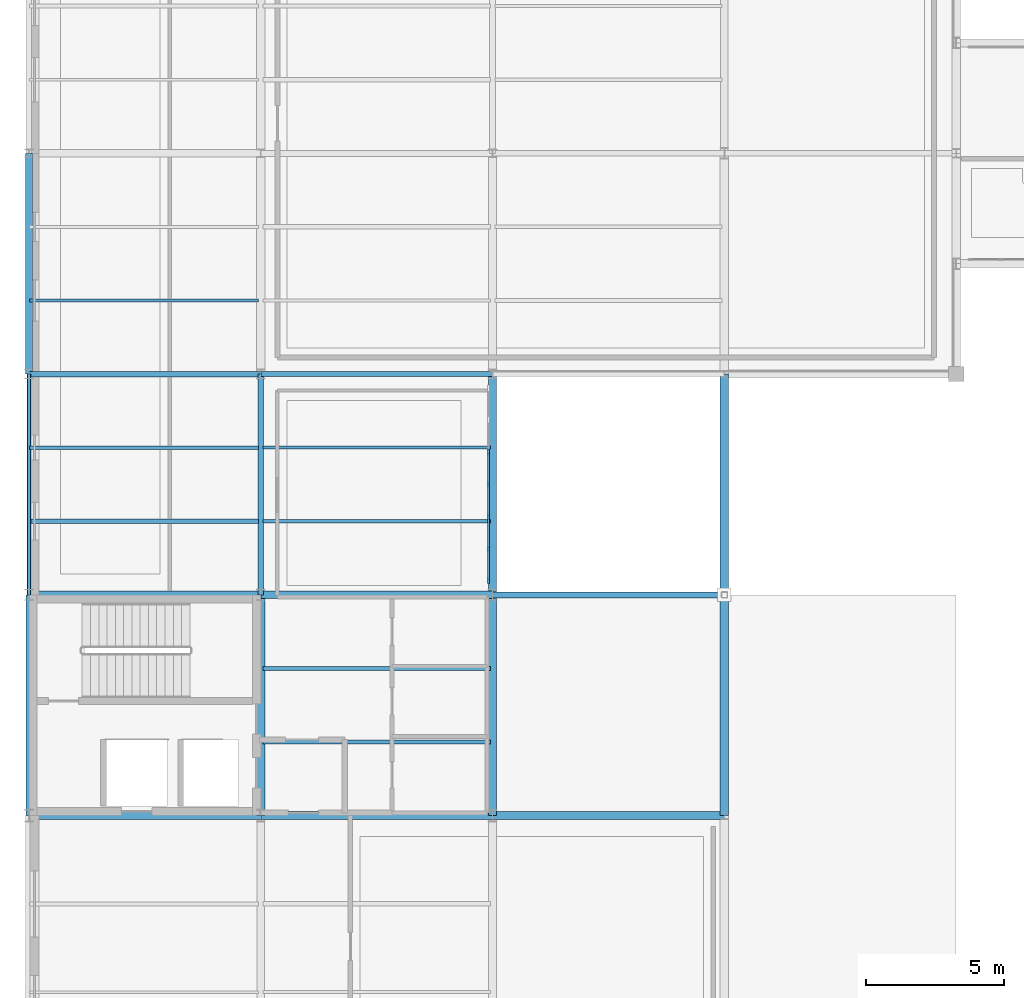
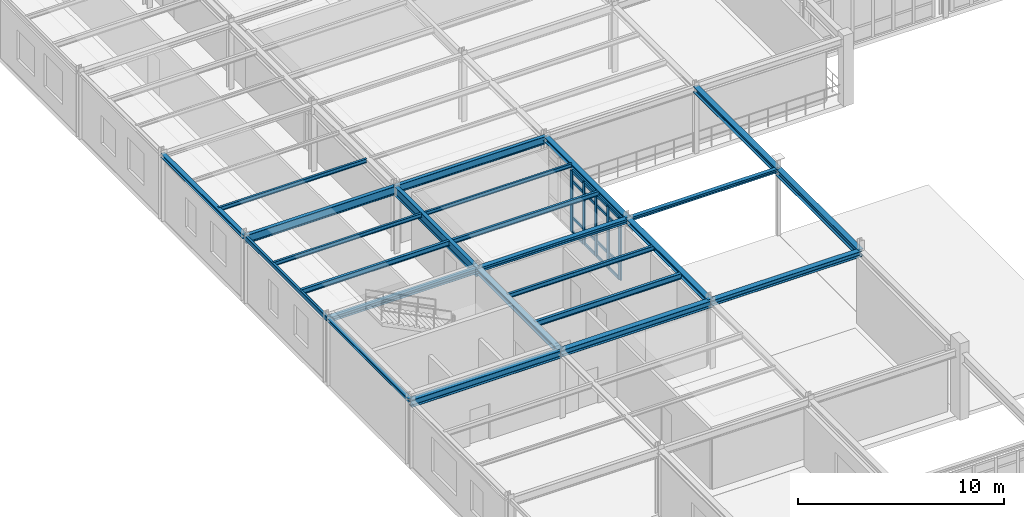
# One storey, part 25 of 90: 24 beams, 21 members, 1 element without a shape of its own.
"""IFC4 building model written with IfcOpenShell, lengths in metres."""

from ifc_helpers import new_model, si_unit, derived_unit, direction, frame, origin, origin_2d, place, context, subcontext, project, spatial, rectangle, hollow_rectangle, i_section, extrude, material, layer, layer_set, material_profile, profile_set, type_object, element, aggregate, save


model = new_model("IFC4")

# Units and contexts
model_context = context("Model", 3, precision=1e-05, world=origin(), true_north=direction((0.0, 1.0)))
body_context = subcontext(model_context, "Body", "Model", "MODEL_VIEW")
ifc_project = project(units=[si_unit("LENGTHUNIT", "METRE"), si_unit("AREAUNIT", "SQUARE_METRE"), si_unit("VOLUMEUNIT", "CUBIC_METRE"), si_unit("PLANEANGLEUNIT", "RADIAN"), si_unit("MASSUNIT", "GRAM", prefix="KILO"), derived_unit("THERMALTRANSMITTANCEUNIT", [(si_unit("POWERUNIT", "WATT"), 1), (si_unit("AREAUNIT", "SQUARE_METRE"), -1), (si_unit("THERMODYNAMICTEMPERATUREUNIT", "KELVIN"), -1)])], contexts=[model_context])

# Site, building, storey
site_placement = place(None, origin())
site = spatial("IfcSite", under=ifc_project, at=site_placement, CompositionType="ELEMENT")
building_placement = place(site_placement, origin())
building = spatial("IfcBuilding", under=site, at=building_placement, Name="Yasenodar Specialist Clinic", CompositionType="ELEMENT")
storey_placement = place(building_placement, frame((0.0, 0.0, 9.0)))
storey = spatial("IfcBuildingStorey", under=building, at=storey_placement, Name="L02", CompositionType="ELEMENT", Elevation=9.0)

# Beams
ifc_material_1 = material(Name="Steel S355", Category="steel")
ifc_material_profile_1 = material_profile(ifc_material_1, i_section(OverallWidth=0.219970703125, OverallDepth=0.2099609375, WebThickness=0.007080078125, FlangeThickness=0.010986328125, FilletRadius=0.01806640625, at=origin_2d()), Name="HEA 220")
ifc_profile_set_1 = profile_set([ifc_material_profile_1], Name="Steel S355")
beam_type_1 = type_object("IfcBeamType", Name="BM-HEA220", PredefinedType="BEAM", material=ifc_profile_set_1)
beam_1_placement = place(storey_placement, frame((16.800048828125, 42.800048828125, 3.844970703125), z_axis=(1.0, 0.0, 0.0), x_axis=(0.0, 1.0, 0.0)))
element("IfcBeam", 1, at=beam_1_placement, inside=storey, type_object=beam_type_1, Name="L02 Primary E-W Girder", PredefinedType="BEAM", context=body_context, shape_type="SweptSolid", body=[
    extrude(i_section(OverallWidth=0.219970703125, OverallDepth=0.2099609375, WebThickness=0.007080078125, FlangeThickness=0.010986328125, FilletRadius=0.01806640625, at=origin_2d()), origin(), (0.0, 0.0, 1.0), 8.39990234375),
])
ifc_material_profile_2 = material_profile(ifc_material_1, i_section(OverallWidth=0.260009765625, OverallDepth=0.25, WebThickness=0.007568359375, FlangeThickness=0.012451171875, FilletRadius=0.02392578125, at=origin_2d()), Name="HEA 260")
ifc_profile_set_2 = profile_set([ifc_material_profile_2], Name="Steel S355")
beam_type_2 = type_object("IfcBeamType", Name="BM-HEA260", PredefinedType="BEAM", material=ifc_profile_set_2)
beam_2_placement = place(storey_placement, frame((8.39990234375, 42.800048828125, 3.824951171875), z_axis=(1.0, 0.0, 0.0), x_axis=(0.0, 1.0, 0.0)))
element("IfcBeam", 2, at=beam_2_placement, inside=storey, type_object=beam_type_2, Name="L02 Primary E-W Girder", PredefinedType="BEAM", context=body_context, shape_type="SweptSolid", body=[
    extrude(i_section(OverallWidth=0.260009765625, OverallDepth=0.25, WebThickness=0.007568359375, FlangeThickness=0.012451171875, FilletRadius=0.02392578125, at=origin_2d()), origin(), (0.0, 0.0, 1.0), 8.400146484375),
])
ifc_material_profile_3 = material_profile(ifc_material_1, i_section(OverallWidth=0.280029296875, OverallDepth=0.27001953125, WebThickness=0.008056640625, FlangeThickness=0.012939453125, FilletRadius=0.02392578125, at=origin_2d()), Name="HEA 280")
ifc_profile_set_3 = profile_set([ifc_material_profile_3], Name="Steel S355")
beam_type_3 = type_object("IfcBeamType", Name="BM-HEA280", PredefinedType="BEAM", material=ifc_profile_set_3)
beam_3_placement = place(storey_placement, frame((0.0, 42.800048828125, 3.81494140625), z_axis=(1.0, 0.0, 0.0), x_axis=(0.0, 1.0, 0.0)))
element("IfcBeam", 3, at=beam_3_placement, inside=storey, type_object=beam_type_3, Name="L02 Primary E-W Girder", PredefinedType="BEAM", context=body_context, shape_type="SweptSolid", body=[
    extrude(i_section(OverallWidth=0.280029296875, OverallDepth=0.27001953125, WebThickness=0.008056640625, FlangeThickness=0.012939453125, FilletRadius=0.02392578125, at=origin_2d()), origin(), (0.0, 0.0, 1.0), 8.39990234375),
])
ifc_material_profile_4 = material_profile(ifc_material_1, i_section(OverallWidth=0.300048828125, OverallDepth=0.2900390625, WebThickness=0.008544921875, FlangeThickness=0.013916015625, FilletRadius=0.027099609375, at=origin_2d()), Name="HEA 300")
ifc_profile_set_4 = profile_set([ifc_material_profile_4], Name="Steel S355")
beam_type_4 = type_object("IfcBeamType", Name="BM-HEA300", PredefinedType="BEAM", material=ifc_profile_set_4)
beam_4_placement = place(storey_placement, frame((8.39990234375, 34.800048828125, 3.804931640625), z_axis=(0.0, 1.0, 0.0), x_axis=(-1.0, 0.0, 0.0)))
element("IfcBeam", 4, at=beam_4_placement, inside=storey, type_object=beam_type_4, Name="L02 Primary N-S Girder", PredefinedType="BEAM", context=body_context, shape_type="SweptSolid", body=[
    extrude(i_section(OverallWidth=0.300048828125, OverallDepth=0.2900390625, WebThickness=0.008544921875, FlangeThickness=0.013916015625, FilletRadius=0.027099609375, at=origin_2d()), origin(), (0.0, 0.0, 1.0), 8.0),
])
ifc_material_profile_5 = material_profile(ifc_material_1, i_section(OverallWidth=0.300048828125, OverallDepth=0.330078125, WebThickness=0.009521484375, FlangeThickness=0.0166015625, FilletRadius=0.027099609375, at=origin_2d()), Name="HEA 340")
ifc_profile_set_5 = profile_set([ifc_material_profile_5], Name="Steel S355")
beam_type_5 = type_object("IfcBeamType", Name="BM-HEA340", PredefinedType="BEAM", material=ifc_profile_set_5)
beam_5_placement = place(storey_placement, frame((16.800048828125, 34.800048828125, 3.784912109375), z_axis=(1.0, 0.0, 0.0), x_axis=(0.0, 1.0, 0.0)))
element("IfcBeam", 5, at=beam_5_placement, inside=storey, type_object=beam_type_5, Name="L02 Primary E-W Girder", PredefinedType="BEAM", context=body_context, shape_type="SweptSolid", body=[
    extrude(i_section(OverallWidth=0.300048828125, OverallDepth=0.330078125, WebThickness=0.009521484375, FlangeThickness=0.0166015625, FilletRadius=0.027099609375, at=origin_2d()), origin(), (0.0, 0.0, 1.0), 8.39990234375),
])
ifc_material_profile_6 = material_profile(ifc_material_1, i_section(OverallWidth=0.300048828125, OverallDepth=0.389892578125, WebThickness=0.010986328125, FlangeThickness=0.01904296875, FilletRadius=0.027099609375, at=origin_2d()), Name="HEA 400")
ifc_profile_set_6 = profile_set([ifc_material_profile_6], Name="Steel S355")
beam_type_6 = type_object("IfcBeamType", Name="BM-HEA400", PredefinedType="BEAM", material=ifc_profile_set_6)
beam_6_placement = place(storey_placement, frame((8.39990234375, 34.800048828125, 3.7548828125), z_axis=(1.0, 0.0, 0.0), x_axis=(0.0, 1.0, 0.0)))
element("IfcBeam", 6, at=beam_6_placement, inside=storey, type_object=beam_type_6, Name="L02 Primary E-W Girder", PredefinedType="BEAM", context=body_context, shape_type="SweptSolid", body=[
    extrude(i_section(OverallWidth=0.300048828125, OverallDepth=0.389892578125, WebThickness=0.010986328125, FlangeThickness=0.01904296875, FilletRadius=0.027099609375, at=origin_2d()), origin(), (0.0, 0.0, 1.0), 8.400146484375),
])
ifc_material_profile_7 = material_profile(ifc_material_1, i_section(OverallWidth=0.300048828125, OverallDepth=0.43994140625, WebThickness=0.011474609375, FlangeThickness=0.02099609375, FilletRadius=0.027099609375, at=origin_2d()), Name="HEA 450")
ifc_profile_set_7 = profile_set([ifc_material_profile_7], Name="Steel S355")
beam_type_7 = type_object("IfcBeamType", Name="BM-HEA450", PredefinedType="BEAM", material=ifc_profile_set_7)
beam_7_placement = place(storey_placement, frame((0.0, 34.800048828125, 3.72998046875), z_axis=(1.0, 0.0, 0.0), x_axis=(0.0, 1.0, 0.0)))
element("IfcBeam", 7, at=beam_7_placement, inside=storey, type_object=beam_type_7, Name="L02 Primary E-W Girder", PredefinedType="BEAM", context=body_context, shape_type="SweptSolid", body=[
    extrude(i_section(OverallWidth=0.300048828125, OverallDepth=0.43994140625, WebThickness=0.011474609375, FlangeThickness=0.02099609375, FilletRadius=0.027099609375, at=origin_2d()), origin(), (0.0, 0.0, 1.0), 8.39990234375),
])
ifc_material_profile_8 = material_profile(ifc_material_1, i_section(OverallWidth=0.280029296875, OverallDepth=0.280029296875, WebThickness=0.010498046875, FlangeThickness=0.01806640625, FilletRadius=0.02392578125, at=origin_2d()), Name="HEB 280")
ifc_profile_set_8 = profile_set([ifc_material_profile_8], Name="Steel S355")
beam_type_8 = type_object("IfcBeamType", Name="BM-HEB280", PredefinedType="BEAM", material=ifc_profile_set_8)
beam_8_placement = place(storey_placement, frame((16.800048828125, 42.800048828125, 3.81005859375), z_axis=(0.0, 1.0, 0.0), x_axis=(-1.0, 0.0, 0.0)))
element("IfcBeam", 8, at=beam_8_placement, inside=storey, type_object=beam_type_8, Name="L02 Primary N-S Girder", PredefinedType="BEAM", context=body_context, shape_type="SweptSolid", body=[
    extrude(i_section(OverallWidth=0.280029296875, OverallDepth=0.280029296875, WebThickness=0.010498046875, FlangeThickness=0.01806640625, FilletRadius=0.02392578125, at=origin_2d()), origin(), (0.0, 0.0, 1.0), 8.0),
])
ifc_material_profile_9 = material_profile(ifc_material_1, i_section(OverallWidth=0.300048828125, OverallDepth=0.300048828125, WebThickness=0.010986328125, FlangeThickness=0.01904296875, FilletRadius=0.027099609375, at=origin_2d()), Name="HEB 300")
ifc_profile_set_9 = profile_set([ifc_material_profile_9], Name="Steel S355")
beam_type_9 = type_object("IfcBeamType", Name="BM-HEB300", PredefinedType="BEAM", material=ifc_profile_set_9)
beam_9_placement = place(storey_placement, frame((16.800048828125, 34.800048828125, 3.800048828125), z_axis=(0.0, 1.0, 0.0), x_axis=(-1.0, 0.0, 0.0)))
element("IfcBeam", 9, at=beam_9_placement, inside=storey, type_object=beam_type_9, Name="L02 Primary N-S Girder", PredefinedType="BEAM", context=body_context, shape_type="SweptSolid", body=[
    extrude(i_section(OverallWidth=0.300048828125, OverallDepth=0.300048828125, WebThickness=0.010986328125, FlangeThickness=0.01904296875, FilletRadius=0.027099609375, at=origin_2d()), origin(), (0.0, 0.0, 1.0), 8.0),
])
ifc_material_profile_10 = material_profile(ifc_material_1, i_section(OverallWidth=0.300048828125, OverallDepth=0.340087890625, WebThickness=0.011962890625, FlangeThickness=0.021484375, FilletRadius=0.027099609375, at=origin_2d()), Name="HEB 340")
ifc_profile_set_10 = profile_set([ifc_material_profile_10], Name="Steel S355")
beam_type_10 = type_object("IfcBeamType", Name="BM-HEB340", PredefinedType="BEAM", material=ifc_profile_set_10)
beam_10_placement = place(storey_placement, frame((25.199951171875, 42.800048828125, 3.780029296875), z_axis=(0.0, 1.0, 0.0), x_axis=(-1.0, 0.0, 0.0)))
element("IfcBeam", 10, at=beam_10_placement, inside=storey, type_object=beam_type_10, Name="L02 Primary N-S Girder", PredefinedType="BEAM", context=body_context, shape_type="SweptSolid", body=[
    extrude(i_section(OverallWidth=0.300048828125, OverallDepth=0.340087890625, WebThickness=0.011962890625, FlangeThickness=0.021484375, FilletRadius=0.027099609375, at=origin_2d()), origin(), (0.0, 0.0, 1.0), 8.0),
])
ifc_material_profile_11 = material_profile(ifc_material_1, i_section(OverallWidth=0.300048828125, OverallDepth=0.39990234375, WebThickness=0.013427734375, FlangeThickness=0.02392578125, FilletRadius=0.027099609375, at=origin_2d()), Name="HEB 400")
ifc_profile_set_11 = profile_set([ifc_material_profile_11], Name="Steel S355")
beam_type_11 = type_object("IfcBeamType", Name="BM-HEB400", PredefinedType="BEAM", material=ifc_profile_set_11)
beam_11_placement = place(storey_placement, frame((25.199951171875, 34.800048828125, 3.75), z_axis=(0.0, 1.0, 0.0), x_axis=(-1.0, 0.0, 0.0)))
element("IfcBeam", 11, at=beam_11_placement, inside=storey, type_object=beam_type_11, Name="L02 Primary N-S Girder", PredefinedType="BEAM", context=body_context, shape_type="SweptSolid", body=[
    extrude(i_section(OverallWidth=0.300048828125, OverallDepth=0.39990234375, WebThickness=0.013427734375, FlangeThickness=0.02392578125, FilletRadius=0.027099609375, at=origin_2d()), origin(), (0.0, 0.0, 1.0), 8.0),
])
ifc_material_profile_12 = material_profile(ifc_material_1, i_section(OverallWidth=0.18994140625, OverallDepth=0.449951171875, WebThickness=0.009521484375, FlangeThickness=0.0146484375, FilletRadius=0.02099609375, at=origin_2d()), Name="IPE 450")
ifc_profile_set_12 = profile_set([ifc_material_profile_12], Name="Steel S355")
beam_type_12 = type_object("IfcBeamType", Name="BM-IPE450", PredefinedType="BEAM", material=ifc_profile_set_12)
beam_12_placement = place(storey_placement, frame((8.39990234375, 50.800048828125, 3.72509765625), z_axis=(1.0, 0.0, 0.0), x_axis=(0.0, 1.0, 0.0)))
element("IfcBeam", 12, at=beam_12_placement, inside=storey, type_object=beam_type_12, Name="L02 Primary E-W Girder", PredefinedType="BEAM", context=body_context, shape_type="SweptSolid", body=[
    extrude(i_section(OverallWidth=0.18994140625, OverallDepth=0.449951171875, WebThickness=0.009521484375, FlangeThickness=0.0146484375, FilletRadius=0.02099609375, at=origin_2d()), origin(), (0.0, 0.0, 1.0), 8.400146484375),
])
ifc_material_profile_13 = material_profile(ifc_material_1, i_section(OverallWidth=0.199951171875, OverallDepth=0.5, WebThickness=0.01025390625, FlangeThickness=0.01611328125, FilletRadius=0.02099609375, at=origin_2d()), Name="IPE 500")
ifc_profile_set_13 = profile_set([ifc_material_profile_13], Name="Steel S355")
beam_type_13 = type_object("IfcBeamType", Name="BM-IPE500", PredefinedType="BEAM", material=ifc_profile_set_13)
beam_13_placement = place(storey_placement, frame((0.0, 50.800048828125, 3.699951171875), z_axis=(1.0, 0.0, 0.0), x_axis=(0.0, 1.0, 0.0)))
element("IfcBeam", 13, at=beam_13_placement, inside=storey, type_object=beam_type_13, Name="L02 Primary E-W Girder", PredefinedType="BEAM", context=body_context, shape_type="SweptSolid", body=[
    extrude(i_section(OverallWidth=0.199951171875, OverallDepth=0.5, WebThickness=0.01025390625, FlangeThickness=0.01611328125, FilletRadius=0.02099609375, at=origin_2d()), origin(), (0.0, 0.0, 1.0), 8.39990234375),
])
ifc_material_profile_14 = material_profile(ifc_material_1, i_section(OverallWidth=0.2099609375, OverallDepth=0.550048828125, WebThickness=0.010986328125, FlangeThickness=0.01708984375, FilletRadius=0.02392578125, at=origin_2d()), Name="IPE 550")
ifc_profile_set_14 = profile_set([ifc_material_profile_14], Name="Steel S355")
beam_type_14 = type_object("IfcBeamType", Name="BM-IPE550", PredefinedType="BEAM", material=ifc_profile_set_14)
beam_14_placement = place(storey_placement, frame((8.39990234375, 42.800048828125, 3.675048828125), z_axis=(0.0, 1.0, 0.0), x_axis=(-1.0, 0.0, 0.0)))
element("IfcBeam", 14, at=beam_14_placement, inside=storey, type_object=beam_type_14, Name="L02 Primary N-S Girder", PredefinedType="BEAM", context=body_context, shape_type="SweptSolid", body=[
    extrude(i_section(OverallWidth=0.2099609375, OverallDepth=0.550048828125, WebThickness=0.010986328125, FlangeThickness=0.01708984375, FilletRadius=0.02392578125, at=origin_2d()), origin(), (0.0, 0.0, 1.0), 8.0),
])

# Curtain wall, members
ifc_material_2 = material(Name="Bronze Anodized Aluminium and Triple Low-E Glass", Category="aluminium")
ifc_layer = layer(ifc_material_2, 0.202880859375)
ifc_layer_set = layer_set([ifc_layer], Name="Bronze Anodized Aluminium and Triple Low-E Glass")
curtain_wall_type = type_object("IfcCurtainWallType", Name="CW-SYS-04", PredefinedType="USERDEFINED", material=ifc_layer_set)
curtain_wall_placement = place(storey_placement, origin())
curtain_wall = element("IfcCurtainWall", 15, at=curtain_wall_placement, inside=storey, type_object=curtain_wall_type, Name="L02 Unitised Curtain Wall 130", ObjectType="UNITISED CURTAIN WALL", PredefinedType="USERDEFINED")
ifc_material_3 = material(Name="Bronze Anodized Aluminium", Category="aluminium")
ifc_material_profile_15 = material_profile(ifc_material_3, rectangle(XDim=0.074951171875, YDim=0.22509765625, at=origin_2d()), Name="CW-MULL 75x225")
ifc_profile_set_15 = profile_set([ifc_material_profile_15], Name="Bronze Anodized Aluminium")
member_type_1 = type_object("IfcMemberType", Name="CW-MULL-225", PredefinedType="MULLION", material=ifc_profile_set_15)
member_1_placement = place(storey_placement, frame((16.64990234375, 47.973388671875, 0.0), z_axis=(0.0, 0.0, 1.0), x_axis=(1.0, 0.0, 0.0)))
member_1 = element("IfcMember", 16, at=member_1_placement, type_object=member_type_1, Name="CW-04 mullion 3", PredefinedType="MULLION", context=body_context, shape_type="SweptSolid", body=[
    extrude(rectangle(XDim=0.074951171875, YDim=0.22509765625, at=origin_2d()), origin(), (0.0, 0.0, 1.0), 3.64794921875),
])
member_2_placement = place(storey_placement, frame((16.64990234375, 46.800048828125, 0.0), z_axis=(0.0, 0.0, 1.0), x_axis=(1.0, 0.0, 0.0)))
member_2 = element("IfcMember", 17, at=member_2_placement, type_object=member_type_1, Name="CW-04 mullion 4", PredefinedType="MULLION", context=body_context, shape_type="SweptSolid", body=[
    extrude(rectangle(XDim=0.074951171875, YDim=0.22509765625, at=origin_2d()), origin(), (0.0, 0.0, 1.0), 3.64794921875),
])
member_3_placement = place(storey_placement, frame((16.64990234375, 45.626708984375, 0.0), z_axis=(0.0, 0.0, 1.0), x_axis=(1.0, 0.0, 0.0)))
member_3 = element("IfcMember", 18, at=member_3_placement, type_object=member_type_1, Name="CW-04 mullion 5", PredefinedType="MULLION", context=body_context, shape_type="SweptSolid", body=[
    extrude(rectangle(XDim=0.074951171875, YDim=0.22509765625, at=origin_2d()), origin(), (0.0, 0.0, 1.0), 3.64794921875),
])
member_4_placement = place(storey_placement, frame((16.64990234375, 44.453369140625, 0.0), z_axis=(0.0, 0.0, 1.0), x_axis=(1.0, 0.0, 0.0)))
member_4 = element("IfcMember", 19, at=member_4_placement, type_object=member_type_1, Name="CW-04 mullion 6", PredefinedType="MULLION", context=body_context, shape_type="SweptSolid", body=[
    extrude(rectangle(XDim=0.074951171875, YDim=0.22509765625, at=origin_2d()), origin(), (0.0, 0.0, 1.0), 3.64794921875),
])
member_5_placement = place(storey_placement, frame((16.64990234375, 43.3173828125, 0.0), z_axis=(0.0, 0.0, 1.0), x_axis=(1.0, 0.0, 0.0)))
member_5 = element("IfcMember", 20, at=member_5_placement, type_object=member_type_1, Name="CW-04 mullion 7", PredefinedType="MULLION", context=body_context, shape_type="SweptSolid", body=[
    extrude(rectangle(XDim=0.074951171875, YDim=0.22509765625, at=origin_2d()), origin(), (0.0, 0.0, 1.0), 3.64794921875),
])
ifc_material_profile_16 = material_profile(ifc_material_3, rectangle(XDim=0.074951171875, YDim=0.175048828125, at=origin_2d()), Name="CW-TRAN 75x175")
ifc_profile_set_16 = profile_set([ifc_material_profile_16], Name="Bronze Anodized Aluminium")
member_type_2 = type_object("IfcMemberType", Name="CW-TRAN-175", PredefinedType="USERDEFINED", material=ifc_profile_set_16)
member_6_placement = place(storey_placement, frame((16.64990234375, 47.935791015625, 0.03759765625), z_axis=(0.0, -1.0, 0.0), x_axis=(1.0, 0.0, 0.0)))
member_6 = element("IfcMember", 21, at=member_6_placement, type_object=member_type_2, Name="CW-04 transom 3.1", ObjectType="TRANSOM", PredefinedType="USERDEFINED", context=body_context, shape_type="SweptSolid", body=[
    extrude(rectangle(XDim=0.074951171875, YDim=0.175048828125, at=origin_2d()), origin(), (0.0, 0.0, 1.0), 1.098388671875),
])
member_7_placement = place(storey_placement, frame((16.64990234375, 47.935791015625, 0.89990234375), z_axis=(0.0, -1.0, 0.0), x_axis=(1.0, 0.0, 0.0)))
member_7 = element("IfcMember", 22, at=member_7_placement, type_object=member_type_2, Name="CW-04 transom 3.2", ObjectType="TRANSOM", PredefinedType="USERDEFINED", context=body_context, shape_type="SweptSolid", body=[
    extrude(rectangle(XDim=0.074951171875, YDim=0.175048828125, at=origin_2d()), origin(), (0.0, 0.0, 1.0), 1.098388671875),
])
member_8_placement = place(storey_placement, frame((16.64990234375, 47.935791015625, 3.048095703125), z_axis=(0.0, -1.0, 0.0), x_axis=(1.0, 0.0, 0.0)))
member_8 = element("IfcMember", 23, at=member_8_placement, type_object=member_type_2, Name="CW-04 transom 3.3", ObjectType="TRANSOM", PredefinedType="USERDEFINED", context=body_context, shape_type="SweptSolid", body=[
    extrude(rectangle(XDim=0.074951171875, YDim=0.175048828125, at=origin_2d()), origin(), (0.0, 0.0, 1.0), 1.098388671875),
])
member_9_placement = place(storey_placement, frame((16.64990234375, 47.935791015625, 3.610595703125), z_axis=(0.0, -1.0, 0.0), x_axis=(1.0, 0.0, 0.0)))
member_9 = element("IfcMember", 24, at=member_9_placement, type_object=member_type_2, Name="CW-04 transom 3.4", ObjectType="TRANSOM", PredefinedType="USERDEFINED", context=body_context, shape_type="SweptSolid", body=[
    extrude(rectangle(XDim=0.074951171875, YDim=0.175048828125, at=origin_2d()), origin(), (0.0, 0.0, 1.0), 1.098388671875),
])
member_10_placement = place(storey_placement, frame((16.64990234375, 46.762451171875, 0.03759765625), z_axis=(0.0, -1.0, 0.0), x_axis=(1.0, 0.0, 0.0)))
member_10 = element("IfcMember", 25, at=member_10_placement, type_object=member_type_2, Name="CW-04 transom 4.1", ObjectType="TRANSOM", PredefinedType="USERDEFINED", context=body_context, shape_type="SweptSolid", body=[
    extrude(rectangle(XDim=0.074951171875, YDim=0.175048828125, at=origin_2d()), origin(), (0.0, 0.0, 1.0), 1.098388671875),
])
member_11_placement = place(storey_placement, frame((16.64990234375, 46.762451171875, 0.89990234375), z_axis=(0.0, -1.0, 0.0), x_axis=(1.0, 0.0, 0.0)))
member_11 = element("IfcMember", 26, at=member_11_placement, type_object=member_type_2, Name="CW-04 transom 4.2", ObjectType="TRANSOM", PredefinedType="USERDEFINED", context=body_context, shape_type="SweptSolid", body=[
    extrude(rectangle(XDim=0.074951171875, YDim=0.175048828125, at=origin_2d()), origin(), (0.0, 0.0, 1.0), 1.098388671875),
])
member_12_placement = place(storey_placement, frame((16.64990234375, 46.762451171875, 3.048095703125), z_axis=(0.0, -1.0, 0.0), x_axis=(1.0, 0.0, 0.0)))
member_12 = element("IfcMember", 27, at=member_12_placement, type_object=member_type_2, Name="CW-04 transom 4.3", ObjectType="TRANSOM", PredefinedType="USERDEFINED", context=body_context, shape_type="SweptSolid", body=[
    extrude(rectangle(XDim=0.074951171875, YDim=0.175048828125, at=origin_2d()), origin(), (0.0, 0.0, 1.0), 1.098388671875),
])
member_13_placement = place(storey_placement, frame((16.64990234375, 46.762451171875, 3.610595703125), z_axis=(0.0, -1.0, 0.0), x_axis=(1.0, 0.0, 0.0)))
member_13 = element("IfcMember", 28, at=member_13_placement, type_object=member_type_2, Name="CW-04 transom 4.4", ObjectType="TRANSOM", PredefinedType="USERDEFINED", context=body_context, shape_type="SweptSolid", body=[
    extrude(rectangle(XDim=0.074951171875, YDim=0.175048828125, at=origin_2d()), origin(), (0.0, 0.0, 1.0), 1.098388671875),
])
member_14_placement = place(storey_placement, frame((16.64990234375, 45.589111328125, 0.03759765625), z_axis=(0.0, -1.0, 0.0), x_axis=(1.0, 0.0, 0.0)))
member_14 = element("IfcMember", 29, at=member_14_placement, type_object=member_type_2, Name="CW-04 transom 5.1", ObjectType="TRANSOM", PredefinedType="USERDEFINED", context=body_context, shape_type="SweptSolid", body=[
    extrude(rectangle(XDim=0.074951171875, YDim=0.175048828125, at=origin_2d()), origin(), (0.0, 0.0, 1.0), 1.098388671875),
])
member_15_placement = place(storey_placement, frame((16.64990234375, 45.589111328125, 0.89990234375), z_axis=(0.0, -1.0, 0.0), x_axis=(1.0, 0.0, 0.0)))
member_15 = element("IfcMember", 30, at=member_15_placement, type_object=member_type_2, Name="CW-04 transom 5.2", ObjectType="TRANSOM", PredefinedType="USERDEFINED", context=body_context, shape_type="SweptSolid", body=[
    extrude(rectangle(XDim=0.074951171875, YDim=0.175048828125, at=origin_2d()), origin(), (0.0, 0.0, 1.0), 1.098388671875),
])
member_16_placement = place(storey_placement, frame((16.64990234375, 45.589111328125, 3.048095703125), z_axis=(0.0, -1.0, 0.0), x_axis=(1.0, 0.0, 0.0)))
member_16 = element("IfcMember", 31, at=member_16_placement, type_object=member_type_2, Name="CW-04 transom 5.3", ObjectType="TRANSOM", PredefinedType="USERDEFINED", context=body_context, shape_type="SweptSolid", body=[
    extrude(rectangle(XDim=0.074951171875, YDim=0.175048828125, at=origin_2d()), origin(), (0.0, 0.0, 1.0), 1.098388671875),
])
member_17_placement = place(storey_placement, frame((16.64990234375, 45.589111328125, 3.610595703125), z_axis=(0.0, -1.0, 0.0), x_axis=(1.0, 0.0, 0.0)))
member_17 = element("IfcMember", 32, at=member_17_placement, type_object=member_type_2, Name="CW-04 transom 5.4", ObjectType="TRANSOM", PredefinedType="USERDEFINED", context=body_context, shape_type="SweptSolid", body=[
    extrude(rectangle(XDim=0.074951171875, YDim=0.175048828125, at=origin_2d()), origin(), (0.0, 0.0, 1.0), 1.098388671875),
])
member_18_placement = place(storey_placement, frame((16.64990234375, 44.415771484375, 0.03759765625), z_axis=(0.0, -1.0, 0.0), x_axis=(1.0, 0.0, 0.0)))
member_18 = element("IfcMember", 33, at=member_18_placement, type_object=member_type_2, Name="CW-04 transom 6.1", ObjectType="TRANSOM", PredefinedType="USERDEFINED", context=body_context, shape_type="SweptSolid", body=[
    extrude(rectangle(XDim=0.074951171875, YDim=0.175048828125, at=origin_2d()), origin(), (0.0, 0.0, 1.0), 1.060791015625),
])
member_19_placement = place(storey_placement, frame((16.64990234375, 44.415771484375, 0.89990234375), z_axis=(0.0, -1.0, 0.0), x_axis=(1.0, 0.0, 0.0)))
member_19 = element("IfcMember", 34, at=member_19_placement, type_object=member_type_2, Name="CW-04 transom 6.2", ObjectType="TRANSOM", PredefinedType="USERDEFINED", context=body_context, shape_type="SweptSolid", body=[
    extrude(rectangle(XDim=0.074951171875, YDim=0.175048828125, at=origin_2d()), origin(), (0.0, 0.0, 1.0), 1.060791015625),
])
member_20_placement = place(storey_placement, frame((16.64990234375, 44.415771484375, 3.048095703125), z_axis=(0.0, -1.0, 0.0), x_axis=(1.0, 0.0, 0.0)))
member_20 = element("IfcMember", 35, at=member_20_placement, type_object=member_type_2, Name="CW-04 transom 6.3", ObjectType="TRANSOM", PredefinedType="USERDEFINED", context=body_context, shape_type="SweptSolid", body=[
    extrude(rectangle(XDim=0.074951171875, YDim=0.175048828125, at=origin_2d()), origin(), (0.0, 0.0, 1.0), 1.060791015625),
])
member_21_placement = place(storey_placement, frame((16.64990234375, 44.415771484375, 3.610595703125), z_axis=(0.0, -1.0, 0.0), x_axis=(1.0, 0.0, 0.0)))
member_21 = element("IfcMember", 36, at=member_21_placement, type_object=member_type_2, Name="CW-04 transom 6.4", ObjectType="TRANSOM", PredefinedType="USERDEFINED", context=body_context, shape_type="SweptSolid", body=[
    extrude(rectangle(XDim=0.074951171875, YDim=0.175048828125, at=origin_2d()), origin(), (0.0, 0.0, 1.0), 1.060791015625),
])
aggregate(curtain_wall, [member_1, member_2, member_3, member_4, member_5, member_6, member_7, member_8, member_9, member_10, member_11, member_12, member_13, member_14, member_15, member_16, member_17, member_18, member_19, member_20, member_21])

# Beams
ifc_material_profile_17 = material_profile(ifc_material_1, i_section(OverallWidth=0.110107421875, OverallDepth=0.219970703125, WebThickness=0.005859375, FlangeThickness=0.00927734375, FilletRadius=0.011962890625, at=origin_2d()), Name="IPE 220")
ifc_profile_set_17 = profile_set([ifc_material_profile_17], Name="Steel S355")
beam_type_15 = type_object("IfcBeamType", Name="JS-IPE220", PredefinedType="JOIST", material=ifc_profile_set_17)
beam_15_placement = place(storey_placement, frame((8.47998046875, 48.13330078125, 3.840087890625), z_axis=(1.0, 0.0, 0.0), x_axis=(0.0, 1.0, 0.0)))
element("IfcBeam", 37, at=beam_15_placement, inside=storey, type_object=beam_type_15, Name="L02 Composite Floor Joist", PredefinedType="JOIST", context=body_context, shape_type="SweptSolid", body=[
    extrude(i_section(OverallWidth=0.110107421875, OverallDepth=0.219970703125, WebThickness=0.005859375, FlangeThickness=0.00927734375, FilletRadius=0.011962890625, at=origin_2d()), origin(), (0.0, 0.0, 1.0), 8.239990234375),
])
ifc_material_profile_18 = material_profile(ifc_material_1, i_section(OverallWidth=0.1201171875, OverallDepth=0.239990234375, WebThickness=0.006103515625, FlangeThickness=0.009765625, FilletRadius=0.014892578125, at=origin_2d()), Name="IPE 240")
ifc_profile_set_18 = profile_set([ifc_material_profile_18], Name="Steel S355")
beam_type_16 = type_object("IfcBeamType", Name="JS-IPE240", PredefinedType="JOIST", material=ifc_profile_set_18)
for number, where, z_axis, x_axis, name in (
    (38, (0.014892578125, 48.13330078125, 3.830078125), (1.0, 0.0, 0.0), (0.0, 1.0, 0.0), "L02 Composite Floor Joist"),
    (39, (0.014892578125, 53.466796875, 3.830078125), (1.0, 0.0, 0.0), (0.0, 1.0, 0.0), "L02 Composite Floor Joist"),
):
    element("IfcBeam", number, at=place(storey_placement, frame(where, z_axis=z_axis, x_axis=x_axis)), inside=storey, type_object=beam_type_16, Name=name, PredefinedType="JOIST", context=body_context, shape_type="SweptSolid", body=[
        extrude(i_section(OverallWidth=0.1201171875, OverallDepth=0.239990234375, WebThickness=0.006103515625, FlangeThickness=0.009765625, FilletRadius=0.014892578125, at=origin_2d()), origin(), (0.0, 0.0, 1.0), 8.30517578125),
    ])
ifc_material_profile_19 = material_profile(ifc_material_1, i_section(OverallWidth=0.135009765625, OverallDepth=0.27001953125, WebThickness=0.006591796875, FlangeThickness=0.01025390625, FilletRadius=0.014892578125, at=origin_2d()), Name="IPE 270")
ifc_profile_set_19 = profile_set([ifc_material_profile_19], Name="Steel S355")
beam_type_17 = type_object("IfcBeamType", Name="JS-IPE270", PredefinedType="JOIST", material=ifc_profile_set_19)
for number, where, z_axis, x_axis, name in (
    (40, (8.47998046875, 40.13330078125, 3.81494140625), (1.0, 0.0, 0.0), (0.0, 1.0, 0.0), "L02 Composite Floor Joist"),
    (41, (8.47998046875, 45.466796875, 3.81494140625), (1.0, 0.0, 0.0), (0.0, 1.0, 0.0), "L02 Composite Floor Joist"),
):
    element("IfcBeam", number, at=place(storey_placement, frame(where, z_axis=z_axis, x_axis=x_axis)), inside=storey, type_object=beam_type_17, Name=name, PredefinedType="JOIST", context=body_context, shape_type="SweptSolid", body=[
        extrude(i_section(OverallWidth=0.135009765625, OverallDepth=0.27001953125, WebThickness=0.006591796875, FlangeThickness=0.01025390625, FilletRadius=0.014892578125, at=origin_2d()), origin(), (0.0, 0.0, 1.0), 8.239990234375),
    ])
ifc_material_profile_20 = material_profile(ifc_material_1, i_section(OverallWidth=0.14990234375, OverallDepth=0.300048828125, WebThickness=0.007080078125, FlangeThickness=0.0107421875, FilletRadius=0.014892578125, at=origin_2d()), Name="IPE 300")
ifc_profile_set_20 = profile_set([ifc_material_profile_20], Name="Steel S355")
beam_type_18 = type_object("IfcBeamType", Name="JS-IPE300", PredefinedType="JOIST", material=ifc_profile_set_20)
beam_16_placement = place(storey_placement, frame((0.014892578125, 45.466796875, 3.800048828125), z_axis=(1.0, 0.0, 0.0), x_axis=(0.0, 1.0, 0.0)))
element("IfcBeam", 42, at=beam_16_placement, inside=storey, type_object=beam_type_18, Name="L02 Composite Floor Joist", PredefinedType="JOIST", context=body_context, shape_type="SweptSolid", body=[
    extrude(i_section(OverallWidth=0.14990234375, OverallDepth=0.300048828125, WebThickness=0.007080078125, FlangeThickness=0.0107421875, FilletRadius=0.014892578125, at=origin_2d()), origin(), (0.0, 0.0, 1.0), 8.30517578125),
])
ifc_material_profile_21 = material_profile(ifc_material_1, i_section(OverallWidth=0.159912109375, OverallDepth=0.330078125, WebThickness=0.007568359375, FlangeThickness=0.011474609375, FilletRadius=0.01806640625, at=origin_2d()), Name="IPE 330")
ifc_profile_set_21 = profile_set([ifc_material_profile_21], Name="Steel S355")
beam_type_19 = type_object("IfcBeamType", Name="JS-IPE330", PredefinedType="JOIST", material=ifc_profile_set_21)
beam_17_placement = place(storey_placement, frame((8.47998046875, 37.466796875, 3.784912109375), z_axis=(1.0, 0.0, 0.0), x_axis=(0.0, 1.0, 0.0)))
element("IfcBeam", 43, at=beam_17_placement, inside=storey, type_object=beam_type_19, Name="L02 Composite Floor Joist", PredefinedType="JOIST", context=body_context, shape_type="SweptSolid", body=[
    extrude(i_section(OverallWidth=0.159912109375, OverallDepth=0.330078125, WebThickness=0.007568359375, FlangeThickness=0.011474609375, FilletRadius=0.01806640625, at=origin_2d()), origin(), (0.0, 0.0, 1.0), 8.239990234375),
])
ifc_material_profile_22 = material_profile(ifc_material_1, i_section(OverallWidth=0.199951171875, OverallDepth=0.18994140625, WebThickness=0.006591796875, FlangeThickness=0.010009765625, FilletRadius=0.01806640625, at=origin_2d()), Name="HEA 200")
ifc_profile_set_22 = profile_set([ifc_material_profile_22], Name="Steel S355")
beam_type_20 = type_object("IfcBeamType", Name="SP-HEA200", PredefinedType="SPANDREL", material=ifc_profile_set_22)
beam_18_placement = place(storey_placement, frame((0.0, 34.800048828125, 3.85498046875), z_axis=(0.0, 1.0, 0.0), x_axis=(-1.0, 0.0, 0.0)))
element("IfcBeam", 44, at=beam_18_placement, inside=storey, type_object=beam_type_20, Name="L02 Perimeter Spandrel Beam", PredefinedType="SPANDREL", context=body_context, shape_type="SweptSolid", body=[
    extrude(i_section(OverallWidth=0.199951171875, OverallDepth=0.18994140625, WebThickness=0.006591796875, FlangeThickness=0.010009765625, FilletRadius=0.01806640625, at=origin_2d()), origin(), (0.0, 0.0, 1.0), 8.0),
])
ifc_material_profile_23 = material_profile(ifc_material_1, i_section(OverallWidth=0.239990234375, OverallDepth=0.22998046875, WebThickness=0.007568359375, FlangeThickness=0.011962890625, FilletRadius=0.02099609375, at=origin_2d()), Name="HEA 240")
ifc_profile_set_23 = profile_set([ifc_material_profile_23], Name="Steel S355")
beam_type_21 = type_object("IfcBeamType", Name="SP-HEA240", PredefinedType="SPANDREL", material=ifc_profile_set_23)
beam_19_placement = place(storey_placement, frame((0.0, 50.800048828125, 3.8349609375), z_axis=(0.0, 1.0, 0.0), x_axis=(-1.0, 0.0, 0.0)))
element("IfcBeam", 45, at=beam_19_placement, inside=storey, type_object=beam_type_21, Name="L02 Perimeter Spandrel Beam", PredefinedType="SPANDREL", context=body_context, shape_type="SweptSolid", body=[
    extrude(i_section(OverallWidth=0.239990234375, OverallDepth=0.22998046875, WebThickness=0.007568359375, FlangeThickness=0.011962890625, FilletRadius=0.02099609375, at=origin_2d()), origin(), (0.0, 0.0, 1.0), 8.0),
])
ifc_material_profile_24 = material_profile(ifc_material_1, hollow_rectangle(XDim=0.14990234375, YDim=0.25, WallThickness=0.010009765625, InnerFilletRadius=0.014892578125, OuterFilletRadius=0.02490234375, at=origin_2d()), Name="RHS 250x150x10")
ifc_profile_set_24 = profile_set([ifc_material_profile_24], Name="Steel S355")
beam_type_22 = type_object("IfcBeamType", Name="SP-RHS250", PredefinedType="SPANDREL", material=ifc_profile_set_24)
beam_20_placement = place(storey_placement, frame((0.0, 42.800048828125, 3.824951171875), z_axis=(0.0, 1.0, 0.0), x_axis=(-1.0, 0.0, 0.0)))
element("IfcBeam", 46, at=beam_20_placement, inside=storey, type_object=beam_type_22, Name="L02 Perimeter Spandrel Beam", PredefinedType="SPANDREL", context=body_context, shape_type="SweptSolid", body=[
    extrude(hollow_rectangle(XDim=0.14990234375, YDim=0.25, WallThickness=0.010009765625, InnerFilletRadius=0.014892578125, OuterFilletRadius=0.02490234375, at=origin_2d()), origin(), (0.0, 0.0, 1.0), 8.0),
])

save(model, "model.ifc")
